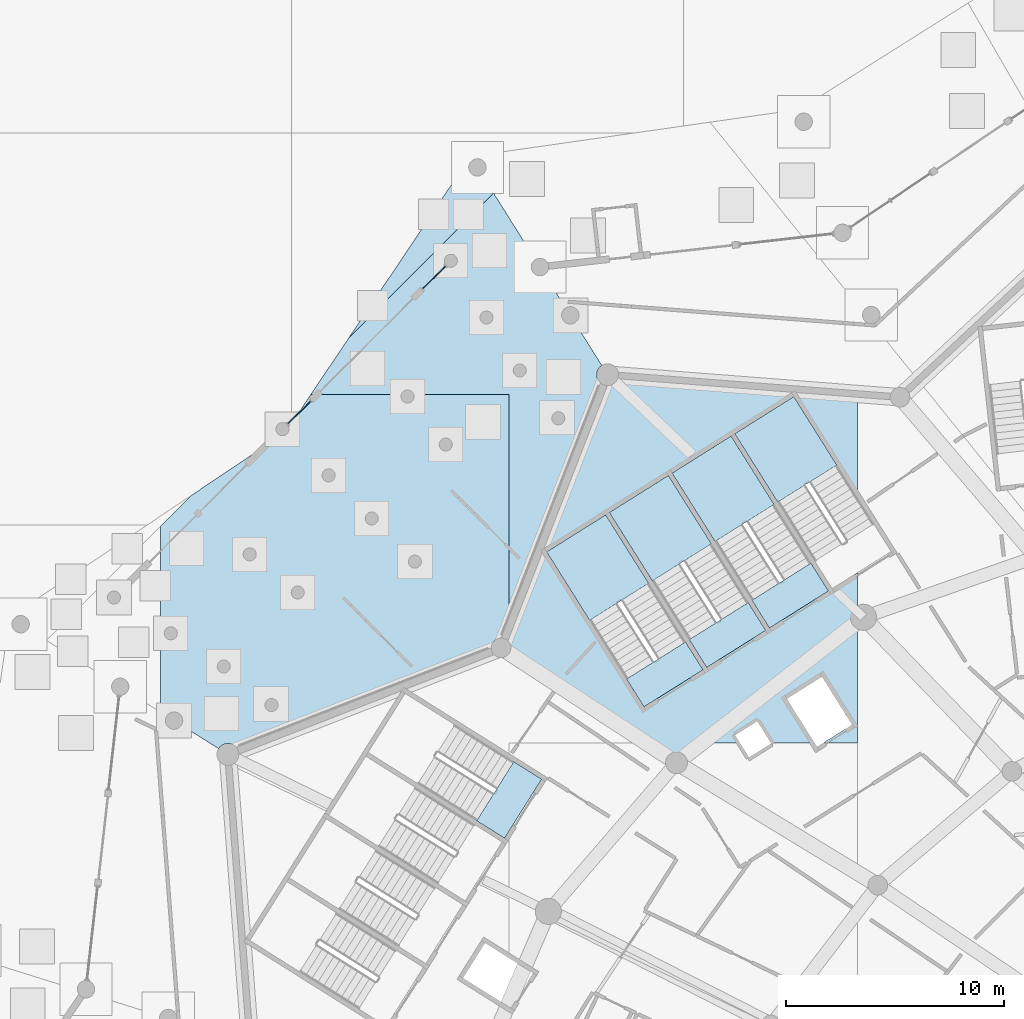
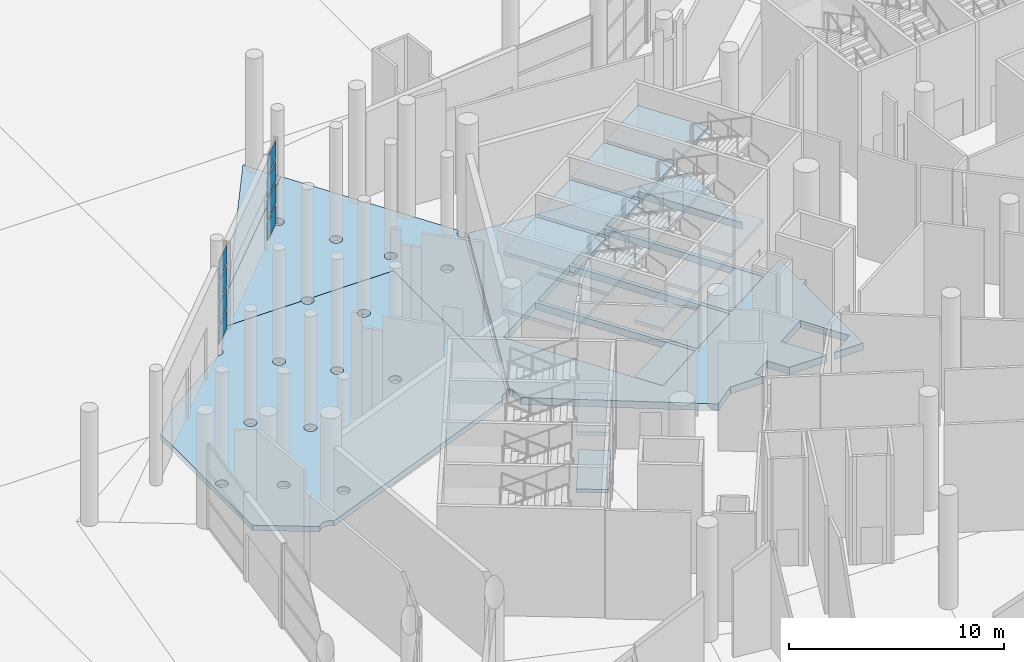
# One storey, part 89 of 255: 20 slabs, 8 plates, 7 elements without a shape of their own.
"""IFC4 building model written with IfcOpenShell, lengths in metres."""

from ifc_helpers import new_model, si_unit, direction, frame, origin, origin_2d, place, context, subcontext, project, spatial, polyline, rectangle, outline, extrude, material, layer, layer_set, type_object, element, aggregate, save


model = new_model("IFC4")

# Units and contexts
model_context = context("Model", 3, precision=1e-05, world=origin(), true_north=direction((0.0, 1.0)))
body_context = subcontext(model_context, "Body", "Model", "MODEL_VIEW")
ifc_project = project(units=[si_unit("LENGTHUNIT", "METRE"), si_unit("AREAUNIT", "SQUARE_METRE"), si_unit("VOLUMEUNIT", "CUBIC_METRE"), si_unit("PLANEANGLEUNIT", "RADIAN"), si_unit("MASSUNIT", "GRAM", prefix="KILO")], contexts=[model_context])

# Site, building, storey
site_placement = place(None, origin())
site = spatial("IfcSite", under=ifc_project, at=site_placement, CompositionType="ELEMENT")
building_placement = place(site_placement, origin())
building = spatial("IfcBuilding", under=site, at=building_placement, Name="Meseta Stadium", CompositionType="ELEMENT")
storey_placement = place(building_placement, origin())
storey = spatial("IfcBuildingStorey", under=building, at=storey_placement, Name="L00", CompositionType="ELEMENT", Elevation=0.0)

# Slabs
ifc_material_1 = material(Name="Concrete C40/50", Category="concrete")
ifc_layer_1 = layer(ifc_material_1, 0.39990234375)
ifc_layer_set_1 = layer_set([ifc_layer_1], Name="Floor slab 400")
slab_type_1 = type_object("IfcSlabType", Name="Floor slab 400", PredefinedType="FLOOR", material=ifc_layer_set_1)
slab_1_placement = place(storey_placement, frame((0.0, 0.0, -0.39990234375)))
element("IfcSlab", 1, at=slab_1_placement, inside=storey, type_object=slab_type_1, Name="Floor slab L00 sector 21 panel 07", PredefinedType="FLOOR", context=body_context, shape_type="SweptSolid", body=[
    extrude(outline(polyline([(-80.0, 84.126220703125), (-72.31201171875, 79.091064453125), (-71.144287109375, 80.0), (-69.397216796875, 80.0), (-69.62158203125, 80.357177734375), (-68.605712890625, 80.99560546875), (-67.97998046875, 80.0), (-65.972412109375, 80.0), (-67.245849609375, 82.027099609375), (-65.63720703125, 83.0380859375), (-64.25390625, 80.83642578125), (-65.585205078125, 80.0), (-64.0, 80.0), (-64.0, 85.5615234375), (-63.731201171875, 85.77099609375), (-64.0, 86.02587890625), (-64.0, 87.8203125), (-65.1689453125, 87.085693359375), (-69.63818359375, 94.1982421875), (-66.9287109375, 95.90087890625), (-64.0, 91.239990234375), (-64.0, 96.023193359375), (-75.474609375, 96.908447265625), (-75.825927734375, 96.00732421875), (-75.818115234375, 96.0), (-75.828857421875, 96.0), (-80.124267578125, 84.98388671875), (-80.0, 84.89990234375), (-80.0, 84.126220703125)]), holes=[polyline([(-65.33837890625, 86.9794921875), (-68.0478515625, 85.27685546875), (-72.516845703125, 92.389404296875), (-69.807373046875, 94.091796875), (-65.33837890625, 86.9794921875)]), polyline([(-71.09619140625, 83.361572265625), (-73.8056640625, 81.6591796875), (-78.274658203125, 88.771484375), (-75.565185546875, 90.47412109375), (-71.09619140625, 83.361572265625)]), polyline([(-68.21728515625, 85.17041015625), (-70.9267578125, 83.468017578125), (-75.395751953125, 90.58056640625), (-72.686279296875, 92.282958984375), (-68.21728515625, 85.17041015625)])]), origin(), (0.0, 0.0, 1.0), 0.39990234375),
])
ifc_material_2 = material(Name="Concrete C40/50", Category="concrete")
ifc_layer_2 = layer(ifc_material_2, 0.300048828125)
ifc_layer_set_2 = layer_set([ifc_layer_2], Name="Gate court paving 300")
slab_type_2 = type_object("IfcSlabType", Name="Gate court paving 300", PredefinedType="FLOOR", material=ifc_layer_set_2)
slab_2_placement = place(storey_placement, frame((0.0, 0.0, -0.300048828125)))
element("IfcSlab", 2, at=slab_2_placement, inside=storey, type_object=slab_type_2, Name="Gate 4 court paving", PredefinedType="FLOOR", context=body_context, shape_type="SweptSolid", body=[
    extrude(outline(polyline([(-80.70751953125, 105.236572265625), (-75.600341796875, 97.10888671875), (-81.77294921875, 106.93212890625), (-90.264892578125, 94.264892578125), (-87.388671875, 98.555419921875), (-80.70751953125, 105.236572265625)])), origin(), (0.0, 0.0, 1.0), 0.300048828125),
])
ifc_material_3 = material(Name="Concrete C30/37", Category="concrete")
ifc_layer_3 = layer(ifc_material_3, 0.300048828125)
ifc_layer_set_3 = layer_set([ifc_layer_3], Name="Gate grade slab 300")
slab_type_3 = type_object("IfcSlabType", Name="Gate grade slab 300", PredefinedType="BASESLAB", material=ifc_layer_set_3)
slab_3_placement = place(storey_placement, frame((0.0, 0.0, -0.300048828125)))
element("IfcSlab", 3, at=slab_3_placement, inside=storey, type_object=slab_type_3, Name="Gate ground floor slab 4 panel 02", PredefinedType="BASESLAB", context=body_context, shape_type="SweptSolid", body=[
    extrude(outline(polyline([(-93.0390625, 79.961669921875), (-92.908447265625, 79.97900390625), (-92.778076171875, 79.961669921875), (-92.656494140625, 79.911376953125), (-92.552001953125, 79.831298828125), (-92.53759765625, 79.8125), (-80.81689453125, 84.382568359375), (-80.8037109375, 84.48291015625), (-80.758544921875, 84.59228515625), (-80.686279296875, 84.686279296875), (-80.59228515625, 84.758544921875), (-80.48291015625, 84.8037109375), (-80.382568359375, 84.81689453125), (-80.0, 85.798095703125), (-80.0, 96.0), (-84.37451171875, 96.0), (-84.369140625, 95.98681640625), (-84.35888671875, 95.908447265625), (-84.369140625, 95.830078125), (-84.3994140625, 95.757080078125), (-84.447509765625, 95.694580078125), (-84.510009765625, 95.646484375), (-84.5830078125, 95.6162109375), (-84.661376953125, 95.60595703125), (-84.73974609375, 95.6162109375), (-84.812744140625, 95.646484375), (-84.87548828125, 95.694580078125), (-84.923583984375, 95.757080078125), (-84.95361328125, 95.830078125), (-84.964111328125, 95.908447265625), (-84.95361328125, 95.98681640625), (-84.9482421875, 96.0), (-89.101806640625, 96.0), (-90.115478515625, 94.48779296875), (-90.114013671875, 94.484619140625), (-90.103759765625, 94.40625), (-90.114013671875, 94.327880859375), (-90.144287109375, 94.2548828125), (-90.1923828125, 94.1923828125), (-90.2548828125, 94.144287109375), (-90.327880859375, 94.114013671875), (-90.40625, 94.103759765625), (-90.484619140625, 94.114013671875), (-90.48779296875, 94.115478515625), (-94.555419921875, 91.388671875), (-96.0, 89.944091796875), (-96.0, 81.4169921875), (-93.333740234375, 79.74169921875), (-93.26513671875, 79.831298828125), (-93.16064453125, 79.911376953125), (-93.0390625, 79.961669921875)]), holes=[polyline([(-90.646484375, 81.89306640625), (-90.6162109375, 81.820068359375), (-90.60595703125, 81.74169921875), (-90.6162109375, 81.663330078125), (-90.646484375, 81.590576171875), (-90.694580078125, 81.52783203125), (-90.75732421875, 81.479736328125), (-90.830322265625, 81.449462890625), (-90.90869140625, 81.439208984375), (-90.98681640625, 81.449462890625), (-91.059814453125, 81.479736328125), (-91.12255859375, 81.52783203125), (-91.170654296875, 81.590576171875), (-91.200927734375, 81.663330078125), (-91.211181640625, 81.74169921875), (-91.200927734375, 81.820068359375), (-91.170654296875, 81.89306640625), (-91.12255859375, 81.955810546875), (-91.059814453125, 82.00390625), (-90.98681640625, 82.033935546875), (-90.90869140625, 82.044189453125), (-90.830322265625, 82.033935546875), (-90.75732421875, 82.00390625), (-90.694580078125, 81.955810546875), (-90.646484375, 81.89306640625)]), polyline([(-92.80810546875, 83.588134765625), (-92.797607421875, 83.510009765625), (-92.80810546875, 83.431640625), (-92.838134765625, 83.358642578125), (-92.88623046875, 83.2958984375), (-92.948974609375, 83.247802734375), (-93.02197265625, 83.217529296875), (-93.100341796875, 83.207275390625), (-93.1787109375, 83.217529296875), (-93.251708984375, 83.247802734375), (-93.314208984375, 83.2958984375), (-93.3623046875, 83.358642578125), (-93.392578125, 83.431640625), (-93.40283203125, 83.510009765625), (-93.392578125, 83.588134765625), (-93.3623046875, 83.6611328125), (-93.314208984375, 83.723876953125), (-93.251708984375, 83.77197265625), (-93.1787109375, 83.80224609375), (-93.100341796875, 83.8125), (-93.02197265625, 83.80224609375), (-92.948974609375, 83.77197265625), (-92.88623046875, 83.723876953125), (-92.838134765625, 83.6611328125), (-92.80810546875, 83.588134765625)]), polyline([(-95.23974609375, 85.1162109375), (-95.2294921875, 85.037841796875), (-95.23974609375, 84.959716796875), (-95.27001953125, 84.88671875), (-95.318115234375, 84.823974609375), (-95.380859375, 84.77587890625), (-95.453857421875, 84.74560546875), (-95.531982421875, 84.7353515625), (-95.6103515625, 84.74560546875), (-95.683349609375, 84.77587890625), (-95.74609375, 84.823974609375), (-95.794189453125, 84.88671875), (-95.824462890625, 84.959716796875), (-95.834716796875, 85.037841796875), (-95.824462890625, 85.1162109375), (-95.794189453125, 85.189208984375), (-95.74609375, 85.251708984375), (-95.683349609375, 85.2998046875), (-95.6103515625, 85.330078125), (-95.531982421875, 85.340576171875), (-95.453857421875, 85.330078125), (-95.380859375, 85.2998046875), (-95.318115234375, 85.251708984375), (-95.27001953125, 85.189208984375), (-95.23974609375, 85.1162109375)]), polyline([(-89.410400390625, 86.98583984375), (-89.400146484375, 86.907470703125), (-89.410400390625, 86.8291015625), (-89.440673828125, 86.756103515625), (-89.48876953125, 86.693603515625), (-89.551513671875, 86.6455078125), (-89.62451171875, 86.615234375), (-89.70263671875, 86.60498046875), (-89.781005859375, 86.615234375), (-89.85400390625, 86.6455078125), (-89.916748046875, 86.693603515625), (-89.964599609375, 86.756103515625), (-89.9951171875, 86.8291015625), (-90.00537109375, 86.907470703125), (-89.9951171875, 86.98583984375), (-89.964599609375, 87.058837890625), (-89.916748046875, 87.121337890625), (-89.85400390625, 87.16943359375), (-89.781005859375, 87.19970703125), (-89.70263671875, 87.210205078125), (-89.62451171875, 87.19970703125), (-89.551513671875, 87.16943359375), (-89.48876953125, 87.121337890625), (-89.440673828125, 87.058837890625), (-89.410400390625, 86.98583984375)]), polyline([(-91.6162109375, 88.73974609375), (-91.60595703125, 88.661376953125), (-91.6162109375, 88.5830078125), (-91.646484375, 88.510009765625), (-91.694580078125, 88.447509765625), (-91.757080078125, 88.3994140625), (-91.830078125, 88.369140625), (-91.908447265625, 88.35888671875), (-91.98681640625, 88.369140625), (-92.059814453125, 88.3994140625), (-92.12255859375, 88.447509765625), (-92.170654296875, 88.510009765625), (-92.20068359375, 88.5830078125), (-92.211181640625, 88.661376953125), (-92.20068359375, 88.73974609375), (-92.170654296875, 88.812744140625), (-92.12255859375, 88.87548828125), (-92.059814453125, 88.923583984375), (-91.98681640625, 88.95361328125), (-91.908447265625, 88.964111328125), (-91.830078125, 88.95361328125), (-91.757080078125, 88.923583984375), (-91.694580078125, 88.87548828125), (-91.646484375, 88.812744140625), (-91.6162109375, 88.73974609375)]), polyline([(-86.00244140625, 90.30517578125), (-86.0126953125, 90.226806640625), (-86.04296875, 90.15380859375), (-86.091064453125, 90.091064453125), (-86.15380859375, 90.04296875), (-86.226806640625, 90.0126953125), (-86.30517578125, 90.00244140625), (-86.38330078125, 90.0126953125), (-86.456298828125, 90.04296875), (-86.51904296875, 90.091064453125), (-86.567138671875, 90.15380859375), (-86.597412109375, 90.226806640625), (-86.607666015625, 90.30517578125), (-86.597412109375, 90.38330078125), (-86.567138671875, 90.456298828125), (-86.51904296875, 90.51904296875), (-86.456298828125, 90.567138671875), (-86.38330078125, 90.597412109375), (-86.30517578125, 90.607666015625), (-86.226806640625, 90.597412109375), (-86.15380859375, 90.567138671875), (-86.091064453125, 90.51904296875), (-86.04296875, 90.456298828125), (-86.0126953125, 90.38330078125), (-86.00244140625, 90.30517578125)]), polyline([(-87.99267578125, 92.206787109375), (-88.02294921875, 92.1337890625), (-88.071044921875, 92.071044921875), (-88.1337890625, 92.02294921875), (-88.206787109375, 91.99267578125), (-88.284912109375, 91.982421875), (-88.36328125, 91.99267578125), (-88.436279296875, 92.02294921875), (-88.498779296875, 92.071044921875), (-88.547119140625, 92.1337890625), (-88.577392578125, 92.206787109375), (-88.587646484375, 92.284912109375), (-88.577392578125, 92.36328125), (-88.547119140625, 92.436279296875), (-88.498779296875, 92.498779296875), (-88.436279296875, 92.547119140625), (-88.36328125, 92.577392578125), (-88.284912109375, 92.587646484375), (-88.206787109375, 92.577392578125), (-88.1337890625, 92.547119140625), (-88.071044921875, 92.498779296875), (-88.02294921875, 92.436279296875), (-87.99267578125, 92.36328125), (-87.982421875, 92.284912109375), (-87.99267578125, 92.206787109375)]), polyline([(-84.022705078125, 88.3251953125), (-84.032958984375, 88.246826171875), (-84.06298828125, 88.173828125), (-84.111083984375, 88.111083984375), (-84.173828125, 88.06298828125), (-84.246826171875, 88.032958984375), (-84.3251953125, 88.022705078125), (-84.403564453125, 88.032958984375), (-84.4765625, 88.06298828125), (-84.539306640625, 88.111083984375), (-84.587158203125, 88.173828125), (-84.617431640625, 88.246826171875), (-84.627685546875, 88.3251953125), (-84.617431640625, 88.403564453125), (-84.587158203125, 88.4765625), (-84.539306640625, 88.539306640625), (-84.4765625, 88.587158203125), (-84.403564453125, 88.617431640625), (-84.3251953125, 88.627685546875), (-84.246826171875, 88.617431640625), (-84.173828125, 88.587158203125), (-84.111083984375, 88.539306640625), (-84.06298828125, 88.4765625), (-84.032958984375, 88.403564453125), (-84.022705078125, 88.3251953125)]), polyline([(-82.615234375, 93.62451171875), (-82.6455078125, 93.551513671875), (-82.693603515625, 93.48876953125), (-82.756103515625, 93.440673828125), (-82.8291015625, 93.410400390625), (-82.907470703125, 93.400146484375), (-82.98583984375, 93.410400390625), (-83.058837890625, 93.440673828125), (-83.121337890625, 93.48876953125), (-83.16943359375, 93.551513671875), (-83.19970703125, 93.62451171875), (-83.210205078125, 93.70263671875), (-83.19970703125, 93.781005859375), (-83.16943359375, 93.85400390625), (-83.121337890625, 93.916748046875), (-83.058837890625, 93.964599609375), (-82.98583984375, 93.9951171875), (-82.907470703125, 94.00537109375), (-82.8291015625, 93.9951171875), (-82.756103515625, 93.964599609375), (-82.693603515625, 93.916748046875), (-82.6455078125, 93.85400390625), (-82.615234375, 93.781005859375), (-82.60498046875, 93.70263671875), (-82.615234375, 93.62451171875)])]), origin(), (0.0, 0.0, 1.0), 0.300048828125),
])
slab_4_placement = place(storey_placement, frame((0.0, 0.0, -0.300048828125)))
element("IfcSlab", 4, at=slab_4_placement, inside=storey, type_object=slab_type_3, Name="Gate ground floor slab 4 panel 03", PredefinedType="BASESLAB", context=body_context, shape_type="SweptSolid", body=[
    extrude(outline(polyline([(-84.73974609375, 96.20068359375), (-84.661376953125, 96.211181640625), (-84.5830078125, 96.20068359375), (-84.510009765625, 96.170654296875), (-84.447509765625, 96.12255859375), (-84.3994140625, 96.059814453125), (-84.37451171875, 96.0), (-80.0, 96.0), (-80.0, 85.798095703125), (-75.8125, 96.53759765625), (-75.831298828125, 96.552001953125), (-75.911376953125, 96.656494140625), (-75.961669921875, 96.778076171875), (-75.97900390625, 96.908447265625), (-75.961669921875, 97.0390625), (-75.911376953125, 97.16064453125), (-75.831298828125, 97.26513671875), (-75.74169921875, 97.333740234375), (-80.70751953125, 105.236572265625), (-87.388671875, 98.555419921875), (-89.101806640625, 96.0), (-84.9482421875, 96.0), (-84.923583984375, 96.059814453125), (-84.87548828125, 96.12255859375), (-84.812744140625, 96.170654296875), (-84.73974609375, 96.20068359375)]), holes=[polyline([(-82.888916015625, 101.923583984375), (-82.93701171875, 101.986328125), (-82.96728515625, 102.059326171875), (-82.9775390625, 102.1376953125), (-82.96728515625, 102.2158203125), (-82.93701171875, 102.288818359375), (-82.888916015625, 102.3515625), (-82.826416015625, 102.399658203125), (-82.75341796875, 102.429931640625), (-82.675048828125, 102.440185546875), (-82.5966796875, 102.429931640625), (-82.523681640625, 102.399658203125), (-82.461181640625, 102.3515625), (-82.4130859375, 102.288818359375), (-82.3828125, 102.2158203125), (-82.372314453125, 102.1376953125), (-82.3828125, 102.059326171875), (-82.4130859375, 101.986328125), (-82.461181640625, 101.923583984375), (-82.523681640625, 101.87548828125), (-82.5966796875, 101.84521484375), (-82.675048828125, 101.8349609375), (-82.75341796875, 101.84521484375), (-82.826416015625, 101.87548828125), (-82.888916015625, 101.923583984375)]), polyline([(-80.959716796875, 99.824462890625), (-80.88671875, 99.794189453125), (-80.823974609375, 99.74609375), (-80.77587890625, 99.683349609375), (-80.74560546875, 99.6103515625), (-80.7353515625, 99.531982421875), (-80.74560546875, 99.453857421875), (-80.77587890625, 99.380859375), (-80.823974609375, 99.318115234375), (-80.88671875, 99.27001953125), (-80.959716796875, 99.23974609375), (-81.037841796875, 99.2294921875), (-81.1162109375, 99.23974609375), (-81.189208984375, 99.27001953125), (-81.251708984375, 99.318115234375), (-81.2998046875, 99.380859375), (-81.330078125, 99.453857421875), (-81.340576171875, 99.531982421875), (-81.330078125, 99.6103515625), (-81.2998046875, 99.683349609375), (-81.251708984375, 99.74609375), (-81.189208984375, 99.794189453125), (-81.1162109375, 99.824462890625), (-81.037841796875, 99.834716796875), (-80.959716796875, 99.824462890625)]), polyline([(-79.358642578125, 97.3623046875), (-79.2958984375, 97.314208984375), (-79.247802734375, 97.251708984375), (-79.217529296875, 97.1787109375), (-79.207275390625, 97.100341796875), (-79.217529296875, 97.02197265625), (-79.247802734375, 96.948974609375), (-79.2958984375, 96.88623046875), (-79.358642578125, 96.838134765625), (-79.431640625, 96.80810546875), (-79.510009765625, 96.797607421875), (-79.588134765625, 96.80810546875), (-79.6611328125, 96.838134765625), (-79.723876953125, 96.88623046875), (-79.77197265625, 96.948974609375), (-79.80224609375, 97.02197265625), (-79.8125, 97.100341796875), (-79.80224609375, 97.1787109375), (-79.77197265625, 97.251708984375), (-79.723876953125, 97.314208984375), (-79.6611328125, 97.3623046875), (-79.588134765625, 97.392578125), (-79.510009765625, 97.40283203125), (-79.431640625, 97.392578125), (-79.358642578125, 97.3623046875)]), polyline([(-77.449462890625, 94.830322265625), (-77.479736328125, 94.75732421875), (-77.52783203125, 94.694580078125), (-77.590576171875, 94.646484375), (-77.663330078125, 94.6162109375), (-77.74169921875, 94.60595703125), (-77.820068359375, 94.6162109375), (-77.89306640625, 94.646484375), (-77.955810546875, 94.694580078125), (-78.00390625, 94.75732421875), (-78.033935546875, 94.830322265625), (-78.044189453125, 94.90869140625), (-78.033935546875, 94.98681640625), (-78.00390625, 95.059814453125), (-77.955810546875, 95.12255859375), (-77.89306640625, 95.170654296875), (-77.820068359375, 95.200927734375), (-77.74169921875, 95.211181640625), (-77.663330078125, 95.200927734375), (-77.590576171875, 95.170654296875), (-77.52783203125, 95.12255859375), (-77.479736328125, 95.059814453125), (-77.449462890625, 94.98681640625), (-77.439208984375, 94.90869140625), (-77.449462890625, 94.830322265625)])]), origin(), (0.0, 0.0, 1.0), 0.300048828125),
])

# Curtain wall, plates
ifc_material_4 = material(Name="Aluminium", Category="aluminium")
ifc_layer_4 = layer(ifc_material_4, 0.199951171875)
ifc_layer_set_4 = layer_set([ifc_layer_4], Name="Gate hall curtain wall")
curtain_wall_type = type_object("IfcCurtainWallType", Name="Gate hall curtain wall", PredefinedType="NOTDEFINED", material=ifc_layer_set_4)
curtain_wall_1_placement = place(storey_placement, origin())
curtain_wall_1 = element("IfcCurtainWall", 5, at=curtain_wall_1_placement, inside=storey, type_object=curtain_wall_type, Name="Gate 4 glazing", PredefinedType="NOTDEFINED")
ifc_material_5 = material(Name="Glass", Category="glass")
ifc_layer_5 = layer(ifc_material_5, 0.035888671875)
ifc_layer_set_5 = layer_set([ifc_layer_5], Name="Ring CW glass panel 36")
plate_type = type_object("IfcPlateType", Name="Ring CW glass panel 36", PredefinedType="CURTAIN_PANEL", material=ifc_layer_set_5)
plate_1_placement = place(storey_placement, frame((-83.441162109375, 101.37158203125, 0.14990234375), z_axis=(0.0, 0.0, 1.0), x_axis=(-0.707074869879, -0.707138691054, 0.0)))
plate_1 = element("IfcPlate", 6, at=plate_1_placement, type_object=plate_type, Name="CWG1 panel 1.1", PredefinedType="CURTAIN_PANEL", context=body_context, shape_type="SweptSolid", body=[
    extrude(rectangle(XDim=1.44677734375, YDim=0.035888671875, at=origin_2d()), origin(), (0.0, 0.0, 1.0), 1.03759765625),
])
plate_2_placement = place(storey_placement, frame((-83.441162109375, 101.37158203125, 1.33740234375), z_axis=(0.0, 0.0, 1.0), x_axis=(-0.707074869879, -0.707138691054, 0.0)))
plate_2 = element("IfcPlate", 7, at=plate_2_placement, type_object=plate_type, Name="CWG1 panel 1.2", PredefinedType="CURTAIN_PANEL", context=body_context, shape_type="SweptSolid", body=[
    extrude(rectangle(XDim=1.44677734375, YDim=0.035888671875, at=origin_2d()), origin(), (0.0, 0.0, 1.0), 1.112548828125),
])
plate_3_placement = place(storey_placement, frame((-83.441162109375, 101.37158203125, 2.60009765625), z_axis=(0.0, 0.0, 1.0), x_axis=(-0.707074869879, -0.707138691054, 0.0)))
plate_3 = element("IfcPlate", 8, at=plate_3_placement, type_object=plate_type, Name="CWG1 panel 1.3", PredefinedType="CURTAIN_PANEL", context=body_context, shape_type="SweptSolid", body=[
    extrude(rectangle(XDim=1.44677734375, YDim=0.035888671875, at=origin_2d()), origin(), (0.0, 0.0, 1.0), 1.112548828125),
])
plate_4_placement = place(storey_placement, frame((-83.441162109375, 101.37158203125, 3.862548828125), z_axis=(0.0, 0.0, 1.0), x_axis=(-0.707074869879, -0.707138691054, 0.0)))
plate_4 = element("IfcPlate", 9, at=plate_4_placement, type_object=plate_type, Name="CWG1 panel 1.4", PredefinedType="CURTAIN_PANEL", context=body_context, shape_type="SweptSolid", body=[
    extrude(rectangle(XDim=1.44677734375, YDim=0.035888671875, at=origin_2d()), origin(), (0.0, 0.0, 1.0), 1.03759765625),
])
aggregate(curtain_wall_1, [plate_1, plate_2, plate_3, plate_4])

curtain_wall_2_placement = place(storey_placement, origin())
curtain_wall_2 = element("IfcCurtainWall", 10, at=curtain_wall_2_placement, inside=storey, type_object=curtain_wall_type, Name="Gate 4 glazing", PredefinedType="NOTDEFINED")
plate_5_placement = place(storey_placement, frame((-89.64013671875, 95.17236328125, 0.14990234375), z_axis=(0.0, 0.0, 1.0), x_axis=(-0.707106781187, -0.707106781187, 0.0)))
plate_5 = element("IfcPlate", 11, at=plate_5_placement, type_object=plate_type, Name="CWG1 panel 1.1", PredefinedType="CURTAIN_PANEL", context=body_context, shape_type="SweptSolid", body=[
    extrude(rectangle(XDim=1.447021484375, YDim=0.035888671875, at=origin_2d()), origin(), (0.0, 0.0, 1.0), 1.03759765625),
])
plate_6_placement = place(storey_placement, frame((-89.64013671875, 95.17236328125, 1.33740234375), z_axis=(0.0, 0.0, 1.0), x_axis=(-0.707106781187, -0.707106781187, 0.0)))
plate_6 = element("IfcPlate", 12, at=plate_6_placement, type_object=plate_type, Name="CWG1 panel 1.2", PredefinedType="CURTAIN_PANEL", context=body_context, shape_type="SweptSolid", body=[
    extrude(rectangle(XDim=1.447021484375, YDim=0.035888671875, at=origin_2d()), origin(), (0.0, 0.0, 1.0), 1.112548828125),
])
plate_7_placement = place(storey_placement, frame((-89.64013671875, 95.17236328125, 2.60009765625), z_axis=(0.0, 0.0, 1.0), x_axis=(-0.707106781187, -0.707106781187, 0.0)))
plate_7 = element("IfcPlate", 13, at=plate_7_placement, type_object=plate_type, Name="CWG1 panel 1.3", PredefinedType="CURTAIN_PANEL", context=body_context, shape_type="SweptSolid", body=[
    extrude(rectangle(XDim=1.447021484375, YDim=0.035888671875, at=origin_2d()), origin(), (0.0, 0.0, 1.0), 1.112548828125),
])
plate_8_placement = place(storey_placement, frame((-89.64013671875, 95.17236328125, 3.862548828125), z_axis=(0.0, 0.0, 1.0), x_axis=(-0.707106781187, -0.707106781187, 0.0)))
plate_8 = element("IfcPlate", 14, at=plate_8_placement, type_object=plate_type, Name="CWG1 panel 1.4", PredefinedType="CURTAIN_PANEL", context=body_context, shape_type="SweptSolid", body=[
    extrude(rectangle(XDim=1.447021484375, YDim=0.035888671875, at=origin_2d()), origin(), (0.0, 0.0, 1.0), 1.03759765625),
])
aggregate(curtain_wall_2, [plate_5, plate_6, plate_7, plate_8])

# Stair, slabs
ifc_material_6 = material(Name="Concrete C40/50", Category="concrete")
stair_type = type_object("IfcStairType", Name="Exit stair 4 flights 148 mm risers", PredefinedType="HALF_TURN_STAIR", material=ifc_material_6)
stair_1_placement = place(storey_placement, origin())
stair_1 = element("IfcStair", 15, at=stair_1_placement, inside=storey, type_object=stair_type, Name="ST49 L00", PredefinedType="HALF_TURN_STAIR")
ifc_material_7 = material(Name="Concrete C40/50", Category="concrete")
ifc_layer_6 = layer(ifc_material_7, 0.199951171875)
ifc_layer_set_6 = layer_set([ifc_layer_6], Name="Stair landing 200")
slab_type_4 = type_object("IfcSlabType", Name="Stair landing 200", PredefinedType="LANDING", material=ifc_layer_set_6)
slab_5_placement = place(storey_placement, frame((0.0, 0.0, 1.425048828125)))
slab_5 = element("IfcSlab", 16, at=slab_5_placement, type_object=slab_type_4, Name="ST49 L00 landing 1", PredefinedType="LANDING", context=body_context, shape_type="SweptSolid", body=[
    extrude(outline(polyline([(-64.954833984375, 92.759521484375), (-66.928466796875, 95.90087890625), (-69.63818359375, 94.1982421875), (-67.664306640625, 91.056884765625), (-64.954833984375, 92.759521484375)])), origin(), (0.0, 0.0, 1.0), 0.199951171875),
])
slab_6_placement = place(storey_placement, frame((0.0, 0.0, 4.675048828125)))
slab_6 = element("IfcSlab", 17, at=slab_6_placement, type_object=slab_type_4, Name="ST49 L00 landing 3", PredefinedType="LANDING", context=body_context, shape_type="SweptSolid", body=[
    extrude(outline(polyline([(-64.954833984375, 92.759521484375), (-66.928466796875, 95.90087890625), (-69.63818359375, 94.1982421875), (-67.664306640625, 91.056884765625), (-64.954833984375, 92.759521484375)])), origin(), (0.0, 0.0, 1.0), 0.199951171875),
])
aggregate(stair_1, [slab_5, slab_6])

stair_2_placement = place(storey_placement, origin())
stair_2 = element("IfcStair", 18, at=stair_2_placement, inside=storey, type_object=stair_type, Name="ST50 L00", PredefinedType="HALF_TURN_STAIR")
slab_7_placement = place(storey_placement, frame((0.0, 0.0, 1.425048828125)))
slab_7 = element("IfcSlab", 19, at=slab_7_placement, type_object=slab_type_4, Name="ST50 L00 landing 1", PredefinedType="LANDING", context=body_context, shape_type="SweptSolid", body=[
    extrude(outline(polyline([(-67.83349609375, 90.95068359375), (-69.807373046875, 94.091796875), (-72.516845703125, 92.389404296875), (-70.543212890625, 89.248046875), (-67.83349609375, 90.95068359375)])), origin(), (0.0, 0.0, 1.0), 0.199951171875),
])
slab_8_placement = place(storey_placement, frame((0.0, 0.0, 3.050048828125)))
slab_8 = element("IfcSlab", 20, at=slab_8_placement, type_object=slab_type_4, Name="ST50 L00 landing 2", PredefinedType="LANDING", context=body_context, shape_type="SweptSolid", body=[
    extrude(outline(polyline([(-65.33837890625, 86.9794921875), (-66.1416015625, 88.258056640625), (-68.851318359375, 86.555419921875), (-68.0478515625, 85.27685546875), (-65.33837890625, 86.9794921875)])), origin(), (0.0, 0.0, 1.0), 0.199951171875),
])
slab_9_placement = place(storey_placement, frame((0.0, 0.0, 4.675048828125)))
slab_9 = element("IfcSlab", 21, at=slab_9_placement, type_object=slab_type_4, Name="ST50 L00 landing 3", PredefinedType="LANDING", context=body_context, shape_type="SweptSolid", body=[
    extrude(outline(polyline([(-67.83349609375, 90.95068359375), (-69.807373046875, 94.091796875), (-72.516845703125, 92.389404296875), (-70.543212890625, 89.248046875), (-67.83349609375, 90.95068359375)])), origin(), (0.0, 0.0, 1.0), 0.199951171875),
])
slab_10_placement = place(storey_placement, frame((0.0, 0.0, -0.199951171875)))
slab_10 = element("IfcSlab", 22, at=slab_10_placement, type_object=slab_type_4, Name="ST50 L00 landing 4", PredefinedType="LANDING", context=body_context, shape_type="SweptSolid", body=[
    extrude(outline(polyline([(-65.33837890625, 86.9794921875), (-66.1416015625, 88.258056640625), (-68.851318359375, 86.555419921875), (-68.0478515625, 85.27685546875), (-65.33837890625, 86.9794921875)])), origin(), (0.0, 0.0, 1.0), 0.199951171875),
])
aggregate(stair_2, [slab_7, slab_8, slab_9, slab_10])

stair_3_placement = place(storey_placement, origin())
stair_3 = element("IfcStair", 23, at=stair_3_placement, inside=storey, type_object=stair_type, Name="ST51 L00", PredefinedType="HALF_TURN_STAIR")
slab_11_placement = place(storey_placement, frame((0.0, 0.0, 1.425048828125)))
slab_11 = element("IfcSlab", 24, at=slab_11_placement, type_object=slab_type_4, Name="ST51 L00 landing 1", PredefinedType="LANDING", context=body_context, shape_type="SweptSolid", body=[
    extrude(outline(polyline([(-70.71240234375, 89.1416015625), (-72.686279296875, 92.282958984375), (-75.395751953125, 90.58056640625), (-73.421875, 87.439208984375), (-70.71240234375, 89.1416015625)])), origin(), (0.0, 0.0, 1.0), 0.199951171875),
])
slab_12_placement = place(storey_placement, frame((0.0, 0.0, 3.050048828125)))
slab_12 = element("IfcSlab", 25, at=slab_12_placement, type_object=slab_type_4, Name="ST51 L00 landing 2", PredefinedType="LANDING", context=body_context, shape_type="SweptSolid", body=[
    extrude(outline(polyline([(-68.21728515625, 85.17041015625), (-69.0205078125, 86.448974609375), (-71.72998046875, 84.74658203125), (-70.9267578125, 83.468017578125), (-68.21728515625, 85.17041015625)])), origin(), (0.0, 0.0, 1.0), 0.199951171875),
])
slab_13_placement = place(storey_placement, frame((0.0, 0.0, 4.675048828125)))
slab_13 = element("IfcSlab", 26, at=slab_13_placement, type_object=slab_type_4, Name="ST51 L00 landing 3", PredefinedType="LANDING", context=body_context, shape_type="SweptSolid", body=[
    extrude(outline(polyline([(-70.71240234375, 89.1416015625), (-72.686279296875, 92.282958984375), (-75.395751953125, 90.58056640625), (-73.421875, 87.439208984375), (-70.71240234375, 89.1416015625)])), origin(), (0.0, 0.0, 1.0), 0.199951171875),
])
slab_14_placement = place(storey_placement, frame((0.0, 0.0, -0.199951171875)))
slab_14 = element("IfcSlab", 27, at=slab_14_placement, type_object=slab_type_4, Name="ST51 L00 landing 4", PredefinedType="LANDING", context=body_context, shape_type="SweptSolid", body=[
    extrude(outline(polyline([(-68.21728515625, 85.17041015625), (-69.0205078125, 86.448974609375), (-71.72998046875, 84.74658203125), (-70.9267578125, 83.468017578125), (-68.21728515625, 85.17041015625)])), origin(), (0.0, 0.0, 1.0), 0.199951171875),
])
aggregate(stair_3, [slab_11, slab_12, slab_13, slab_14])

stair_4_placement = place(storey_placement, origin())
stair_4 = element("IfcStair", 28, at=stair_4_placement, inside=storey, type_object=stair_type, Name="ST52 L00", PredefinedType="HALF_TURN_STAIR")
slab_15_placement = place(storey_placement, frame((0.0, 0.0, 1.425048828125)))
slab_15 = element("IfcSlab", 29, at=slab_15_placement, type_object=slab_type_4, Name="ST52 L00 landing 1", PredefinedType="LANDING", context=body_context, shape_type="SweptSolid", body=[
    extrude(outline(polyline([(-73.59130859375, 87.332763671875), (-75.565185546875, 90.47412109375), (-78.274658203125, 88.771484375), (-76.30078125, 85.630126953125), (-73.59130859375, 87.332763671875)])), origin(), (0.0, 0.0, 1.0), 0.199951171875),
])
slab_16_placement = place(storey_placement, frame((0.0, 0.0, 3.050048828125)))
slab_16 = element("IfcSlab", 30, at=slab_16_placement, type_object=slab_type_4, Name="ST52 L00 landing 2", PredefinedType="LANDING", context=body_context, shape_type="SweptSolid", body=[
    extrude(outline(polyline([(-71.095947265625, 83.361572265625), (-71.8994140625, 84.64013671875), (-74.60888671875, 82.937744140625), (-73.8056640625, 81.6591796875), (-71.095947265625, 83.361572265625)])), origin(), (0.0, 0.0, 1.0), 0.199951171875),
])
slab_17_placement = place(storey_placement, frame((0.0, 0.0, 4.675048828125)))
slab_17 = element("IfcSlab", 31, at=slab_17_placement, type_object=slab_type_4, Name="ST52 L00 landing 3", PredefinedType="LANDING", context=body_context, shape_type="SweptSolid", body=[
    extrude(outline(polyline([(-73.59130859375, 87.332763671875), (-75.565185546875, 90.47412109375), (-78.274658203125, 88.771484375), (-76.30078125, 85.630126953125), (-73.59130859375, 87.332763671875)])), origin(), (0.0, 0.0, 1.0), 0.199951171875),
])
slab_18_placement = place(storey_placement, frame((0.0, 0.0, -0.199951171875)))
slab_18 = element("IfcSlab", 32, at=slab_18_placement, type_object=slab_type_4, Name="ST52 L00 landing 4", PredefinedType="LANDING", context=body_context, shape_type="SweptSolid", body=[
    extrude(outline(polyline([(-71.095947265625, 83.361572265625), (-71.8994140625, 84.64013671875), (-74.60888671875, 82.937744140625), (-73.8056640625, 81.6591796875), (-71.095947265625, 83.361572265625)])), origin(), (0.0, 0.0, 1.0), 0.199951171875),
])
aggregate(stair_4, [slab_15, slab_16, slab_17, slab_18])

stair_5_placement = place(storey_placement, origin())
stair_5 = element("IfcStair", 33, at=stair_5_placement, inside=storey, type_object=stair_type, Name="ST53 L00", PredefinedType="HALF_TURN_STAIR")
slab_19_placement = place(storey_placement, frame((0.0, 0.0, 3.050048828125)))
slab_19 = element("IfcSlab", 34, at=slab_19_placement, type_object=slab_type_4, Name="ST53 L00 landing 2", PredefinedType="LANDING", context=body_context, shape_type="SweptSolid", body=[
    extrude(outline(polyline([(-78.505859375, 78.337646484375), (-79.784423828125, 79.140869140625), (-81.48681640625, 76.431396484375), (-80.208251953125, 75.628173828125), (-78.505859375, 78.337646484375)])), origin(), (0.0, 0.0, 1.0), 0.199951171875),
])
slab_20_placement = place(storey_placement, frame((0.0, 0.0, -0.199951171875)))
slab_20 = element("IfcSlab", 35, at=slab_20_placement, type_object=slab_type_4, Name="ST53 L00 landing 4", PredefinedType="LANDING", context=body_context, shape_type="SweptSolid", body=[
    extrude(outline(polyline([(-78.505859375, 78.337646484375), (-79.784423828125, 79.140869140625), (-81.48681640625, 76.431396484375), (-80.208251953125, 75.628173828125), (-78.505859375, 78.337646484375)])), origin(), (0.0, 0.0, 1.0), 0.199951171875),
])
aggregate(stair_5, [slab_19, slab_20])

save(model, "model.ifc")
